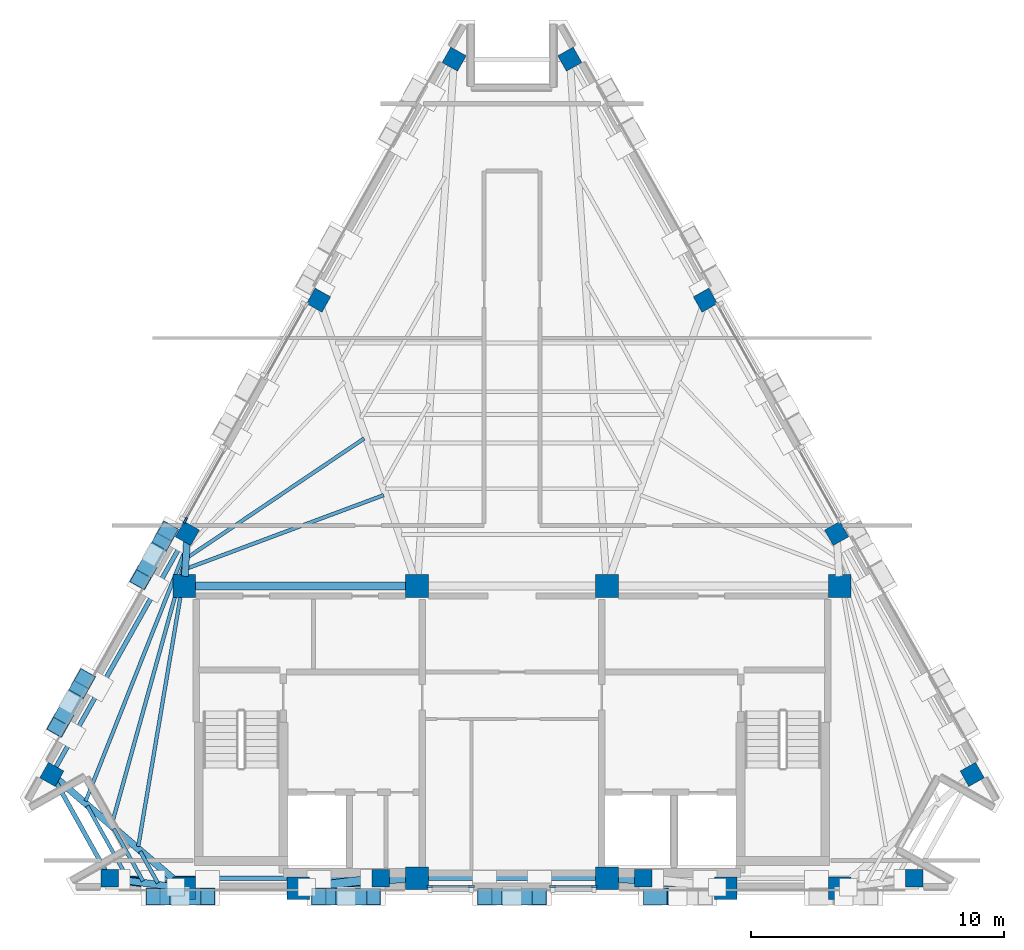
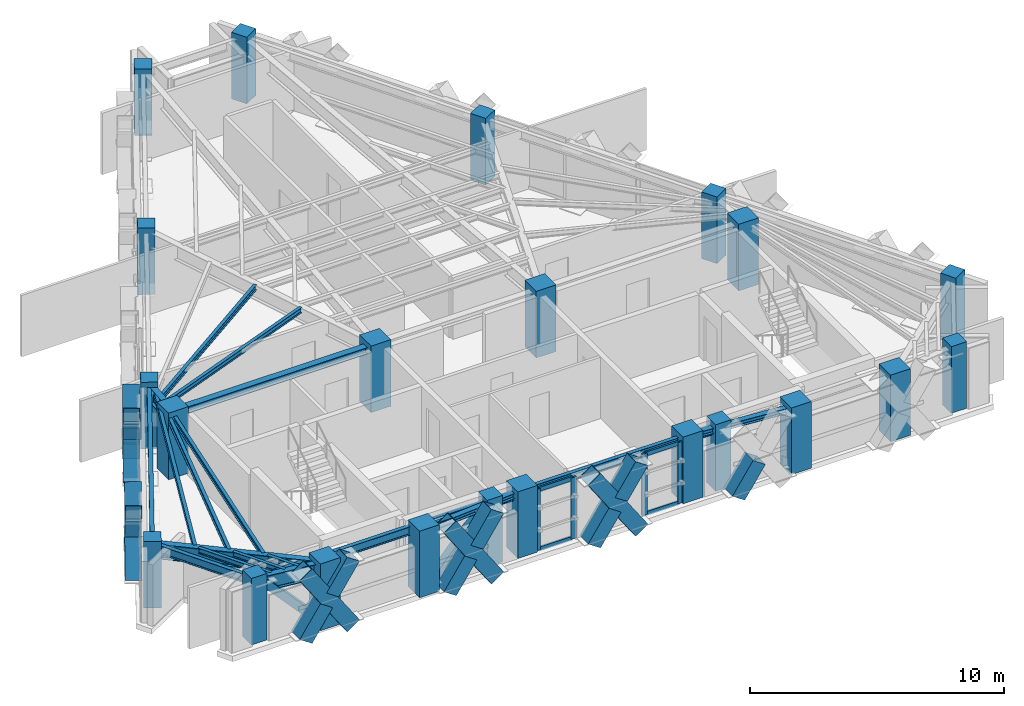
# One storey, part 1 of 8: 27 members, 22 columns, 18 beams, 3 elements without a shape of their own.
"""IFC4 building model written with IfcOpenShell, lengths in metres."""

from ifc_helpers import new_model, si_unit, direction, frame, origin, origin_2d, place, context, subcontext, project, spatial, rectangle, hollow_rectangle, i_section, extrude, material, material_profile, profile_set, type_object, element, aggregate, save


model = new_model("IFC4")

# Units and contexts
model_context = context("Model", 3, precision=1e-05, world=origin(), true_north=direction((0.0, 1.0)))
body_context = subcontext(model_context, "Body", "Model", "MODEL_VIEW")
ifc_project = project(units=[si_unit("LENGTHUNIT", "METRE"), si_unit("AREAUNIT", "SQUARE_METRE"), si_unit("VOLUMEUNIT", "CUBIC_METRE"), si_unit("PLANEANGLEUNIT", "RADIAN"), si_unit("MASSUNIT", "GRAM", prefix="KILO")], contexts=[model_context])

# Site, building, storey
site_placement = place(None, origin())
site = spatial("IfcSite", under=ifc_project, at=site_placement, CompositionType="ELEMENT")
building_placement = place(site_placement, origin())
building = spatial("IfcBuilding", under=site, at=building_placement, Name="Quenlor Broadcast Tower", CompositionType="ELEMENT")
storey_placement = place(building_placement, frame((0.0, 0.0, 283.699951171875)))
storey = spatial("IfcBuildingStorey", under=building, at=storey_placement, Name="L79", CompositionType="ELEMENT", Elevation=283.699951171875)

# Columns
ifc_material_1 = material(Name="Concrete C50/60", Category="concrete")
ifc_material_profile_1 = material_profile(ifc_material_1, rectangle(XDim=0.89990234375, YDim=0.89990234375, at=origin_2d()))
ifc_profile_set_1 = profile_set([ifc_material_profile_1], Name="Concrete C50/60 RC900x900")
column_type_1 = type_object("IfcColumnType", Name="Core Corner Column Upper Concrete C50/60 900", PredefinedType="COLUMN", material=ifc_profile_set_1)
for number, where, z_axis, x_axis, name in (
    (1, (-12.949951171875, -16.75, 0.0), (0.0, 0.0, 1.0), (1.0, 0.0, 0.0), "L79 Core Column CC1"),
    (2, (-8.449951171875, -16.75, 0.0), (0.0, 0.0, 1.0), (1.0, 0.0, 0.0), "L79 Core Column CC2"),
    (3, (-3.75, -16.35009765625, 0.0), (0.0, 0.0, 1.0), (1.0, 0.0, 0.0), "L79 Core Column CC3"),
    (4, (3.75, -16.35009765625, 0.0), (0.0, 0.0, 1.0), (1.0, 0.0, 0.0), "L79 Core Column CC4"),
    (5, (8.449951171875, -16.75, 0.0), (0.0, 0.0, 1.0), (1.0, 0.0, 0.0), "L79 Core Column CC5"),
    (6, (12.949951171875, -16.75, 0.0), (0.0, 0.0, 1.0), (1.0, 0.0, 0.0), "L79 Core Column CC6"),
    (7, (-12.949951171875, -4.800048828125, 0.0), (0.0, 0.0, 1.0), (1.0, 0.0, 0.0), "L79 Core Column CC7"),
    (8, (-3.75, -4.800048828125, 0.0), (0.0, 0.0, 1.0), (1.0, 0.0, 0.0), "L79 Core Column CC8"),
    (9, (3.75, -4.800048828125, 0.0), (0.0, 0.0, 1.0), (1.0, 0.0, 0.0), "L79 Core Column CC9"),
    (10, (12.949951171875, -4.800048828125, 0.0), (0.0, 0.0, 1.0), (1.0, 0.0, 0.0), "L79 Core Column CC10"),
):
    element("IfcColumn", number, at=place(storey_placement, frame(where, z_axis=z_axis, x_axis=x_axis)), inside=storey, type_object=column_type_1, Name=name, PredefinedType="COLUMN", context=body_context, shape_type="SweptSolid", body=[
        extrude(rectangle(XDim=0.89990234375, YDim=0.89990234375, at=origin_2d()), origin(), (0.0, 0.0, 1.0), 3.199951171875),
    ])
ifc_material_2 = material(Name="Concrete C40/50", Category="concrete")
ifc_material_profile_2 = material_profile(ifc_material_2, rectangle(XDim=0.699951171875, YDim=0.699951171875, at=origin_2d()))
ifc_profile_set_2 = profile_set([ifc_material_profile_2], Name="Concrete C40/50 RC700x700")
column_type_2 = type_object("IfcColumnType", Name="Crown Frame Column Concrete C40/50 700", PredefinedType="COLUMN", material=ifc_profile_set_2)
for number, where, z_axis, x_axis, name in (
    (11, (-15.897705078125, -16.35009765625, 0.0), (0.0, 0.0, 1.0), (0.0, 1.0, 0.0), "L79 Perimeter Column S1"),
    (12, (-5.18408203125, -16.35009765625, 0.0), (0.0, 0.0, 1.0), (0.0, 1.0, 0.0), "L79 Perimeter Column S2"),
    (13, (5.18408203125, -16.35009765625, 0.0), (0.0, 0.0, 1.0), (0.0, 1.0, 0.0), "L79 Perimeter Column S3"),
    (14, (15.897705078125, -16.35009765625, 0.0), (0.0, 0.0, 1.0), (0.0, 1.0, 0.0), "L79 Perimeter Column S4"),
    (15, (18.182373046875, -12.25, 0.0), (0.0, 0.0, 1.0), (0.871575139605, 0.490261946333, 0.0), "L79 Perimeter Column NE1"),
    (16, (12.825439453125, -2.726806640625, 0.0), (0.0, 0.0, 1.0), (0.871575139605, 0.490261946333, 0.0), "L79 Perimeter Column NE2"),
    (17, (7.6416015625, 6.4892578125, 0.0), (0.0, 0.0, 1.0), (0.871575139605, 0.490261946333, 0.0), "L79 Perimeter Column NE3"),
    (18, (2.28466796875, 16.012451171875, 0.0), (0.0, 0.0, 1.0), (0.871575139605, 0.490261946333, 0.0), "L79 Perimeter Column NE4"),
    (19, (-2.28466796875, 16.012451171875, 0.0), (0.0, 0.0, 1.0), (-0.871575139605, 0.490261946333, 0.0), "L79 Perimeter Column NW1"),
    (20, (-7.6416015625, 6.4892578125, 0.0), (0.0, 0.0, 1.0), (-0.871575139605, 0.490261946333, 0.0), "L79 Perimeter Column NW2"),
    (21, (-12.825439453125, -2.726806640625, 0.0), (0.0, 0.0, 1.0), (-0.871575139605, 0.490261946333, 0.0), "L79 Perimeter Column NW3"),
    (22, (-18.182373046875, -12.25, 0.0), (0.0, 0.0, 1.0), (-0.871575139605, 0.490261946333, 0.0), "L79 Perimeter Column NW4"),
):
    element("IfcColumn", number, at=place(storey_placement, frame(where, z_axis=z_axis, x_axis=x_axis)), inside=storey, type_object=column_type_2, Name=name, PredefinedType="COLUMN", context=body_context, shape_type="SweptSolid", body=[
        extrude(rectangle(XDim=0.699951171875, YDim=0.699951171875, at=origin_2d()), origin(), (0.0, 0.0, 1.0), 3.199951171875),
    ])

# Curtain wall, members
ifc_material_3 = material(Name="Architectural Terracotta and Low-E Glazing", Category="masonry")
curtain_wall_type = type_object("IfcCurtainWallType", Name="Station Concourse and Crown Terracotta Curtain Wall", PredefinedType="NOTDEFINED", material=ifc_material_3)
curtain_wall_1_placement = place(storey_placement, origin())
curtain_wall_1 = element("IfcCurtainWall", 23, at=curtain_wall_1_placement, inside=storey, type_object=curtain_wall_type, Name="L79 Curtain Wall CW6 (L79-S-G1)", PredefinedType="NOTDEFINED")
ifc_material_4 = material(Name="Aluminium 6063-T6", Category="aluminium")
ifc_material_profile_3 = material_profile(ifc_material_4, rectangle(XDim=0.08203125, YDim=0.239990234375, at=origin_2d()))
ifc_profile_set_3 = profile_set([ifc_material_profile_3], Name="Aluminium 6063-T6 MULL82x240")
member_type_1 = type_object("IfcMemberType", Name="CW6 Aluminium Mullion MULL_CW6", PredefinedType="MULLION", material=ifc_profile_set_3)
member_1_placement = place(storey_placement, frame((3.239013671875, -16.675048828125, 0.0), z_axis=(0.0, 0.0, 1.0), x_axis=(0.0, -1.0, 0.0)))
member_1 = element("IfcMember", 24, at=member_1_placement, type_object=member_type_1, Name="CW6 mullion 1", PredefinedType="MULLION", context=body_context, shape_type="SweptSolid", body=[
    extrude(rectangle(XDim=0.08203125, YDim=0.239990234375, at=origin_2d()), origin(), (0.0, 0.0, 1.0), 2.949951171875),
])
member_2_placement = place(storey_placement, frame((1.610107421875, -16.675048828125, 0.0), z_axis=(0.0, 0.0, 1.0), x_axis=(0.0, -1.0, 0.0)))
member_2 = element("IfcMember", 25, at=member_2_placement, type_object=member_type_1, Name="CW6 mullion 2", PredefinedType="MULLION", context=body_context, shape_type="SweptSolid", body=[
    extrude(rectangle(XDim=0.08203125, YDim=0.239990234375, at=origin_2d()), origin(), (0.0, 0.0, 1.0), 2.949951171875),
])

curtain_wall_2_placement = place(storey_placement, origin())
curtain_wall_2 = element("IfcCurtainWall", 26, at=curtain_wall_2_placement, inside=storey, type_object=curtain_wall_type, Name="L79 Curtain Wall CW6 (L79-S-G2)", PredefinedType="NOTDEFINED")
member_3_placement = place(storey_placement, frame((-1.610107421875, -16.675048828125, 0.0), z_axis=(0.0, 0.0, 1.0), x_axis=(0.0, -1.0, 0.0)))
member_3 = element("IfcMember", 27, at=member_3_placement, type_object=member_type_1, Name="CW6 mullion 1", PredefinedType="MULLION", context=body_context, shape_type="SweptSolid", body=[
    extrude(rectangle(XDim=0.08203125, YDim=0.239990234375, at=origin_2d()), origin(), (0.0, 0.0, 1.0), 2.949951171875),
])
member_4_placement = place(storey_placement, frame((-3.239013671875, -16.675048828125, 0.0), z_axis=(0.0, 0.0, 1.0), x_axis=(0.0, -1.0, 0.0)))
member_4 = element("IfcMember", 28, at=member_4_placement, type_object=member_type_1, Name="CW6 mullion 2", PredefinedType="MULLION", context=body_context, shape_type="SweptSolid", body=[
    extrude(rectangle(XDim=0.08203125, YDim=0.239990234375, at=origin_2d()), origin(), (0.0, 0.0, 1.0), 2.949951171875),
])

# Curtain wall, member
curtain_wall_3_placement = place(storey_placement, origin())
curtain_wall_3 = element("IfcCurtainWall", 29, at=curtain_wall_3_placement, inside=storey, type_object=curtain_wall_type, Name="L79 Curtain Wall CW6 (L79-NW-G1)", PredefinedType="NOTDEFINED")
member_5_placement = place(storey_placement, frame((-12.9072265625, -2.208984375, 0.0), z_axis=(0.0, 0.0, 1.0), x_axis=(-0.871571523235, 0.490268375367, 0.0)))
member_5 = element("IfcMember", 30, at=member_5_placement, type_object=member_type_1, Name="CW6 mullion 1", PredefinedType="MULLION", context=body_context, shape_type="SweptSolid", body=[
    extrude(rectangle(XDim=0.08203125, YDim=0.239990234375, at=origin_2d()), origin(), (0.0, 0.0, 1.0), 2.949951171875),
])
aggregate(curtain_wall_3, [member_5])

# Member
ifc_material_5 = material(Name="Aluminium 6063-T6", Category="aluminium")
ifc_material_profile_4 = material_profile(ifc_material_5, rectangle(XDim=0.08203125, YDim=0.195068359375, at=origin_2d()))
ifc_profile_set_4 = profile_set([ifc_material_profile_4], Name="Aluminium 6063-T6 TRAN82x195")
member_type_2 = type_object("IfcMemberType", Name="CW6 Aluminium Transom TRAN_CW6", PredefinedType="USERDEFINED", material=ifc_profile_set_4)
member_6_placement = place(storey_placement, frame((3.197998046875, -16.675048828125, 0.041015625), z_axis=(-1.0, 0.0, 0.0), x_axis=(0.0, -1.0, 0.0)))
member_6 = element("IfcMember", 31, at=member_6_placement, type_object=member_type_2, Name="CW6 transom 1.1", ObjectType="TRANSOM", PredefinedType="USERDEFINED", context=body_context, shape_type="SweptSolid", body=[
    extrude(rectangle(XDim=0.08203125, YDim=0.195068359375, at=origin_2d()), origin(), (0.0, 0.0, 1.0), 1.547119140625),
])

member_7_placement = place(storey_placement, frame((3.197998046875, -16.675048828125, 2.908935546875), z_axis=(-1.0, 0.0, 0.0), x_axis=(0.0, -1.0, 0.0)))
member_7 = element("IfcMember", 32, at=member_7_placement, type_object=member_type_2, Name="CW6 transom 1.2", ObjectType="TRANSOM", PredefinedType="USERDEFINED", context=body_context, shape_type="SweptSolid", body=[
    extrude(rectangle(XDim=0.08203125, YDim=0.195068359375, at=origin_2d()), origin(), (0.0, 0.0, 1.0), 1.547119140625),
])

aggregate(curtain_wall_1, [member_1, member_2, member_6, member_7])

member_8_placement = place(storey_placement, frame((-1.65087890625, -16.675048828125, 0.041015625), z_axis=(-1.0, 0.0, 0.0), x_axis=(0.0, -1.0, 0.0)))
member_8 = element("IfcMember", 33, at=member_8_placement, type_object=member_type_2, Name="CW6 transom 1.1", ObjectType="TRANSOM", PredefinedType="USERDEFINED", context=body_context, shape_type="SweptSolid", body=[
    extrude(rectangle(XDim=0.08203125, YDim=0.195068359375, at=origin_2d()), origin(), (0.0, 0.0, 1.0), 1.547119140625),
])

member_9_placement = place(storey_placement, frame((-1.65087890625, -16.675048828125, 2.908935546875), z_axis=(-1.0, 0.0, 0.0), x_axis=(0.0, -1.0, 0.0)))
member_9 = element("IfcMember", 34, at=member_9_placement, type_object=member_type_2, Name="CW6 transom 1.2", ObjectType="TRANSOM", PredefinedType="USERDEFINED", context=body_context, shape_type="SweptSolid", body=[
    extrude(rectangle(XDim=0.08203125, YDim=0.195068359375, at=origin_2d()), origin(), (0.0, 0.0, 1.0), 1.547119140625),
])

aggregate(curtain_wall_2, [member_3, member_4, member_8, member_9])

# Beams
ifc_material_6 = material(Name="Steel S355", Category="steel")
ifc_material_profile_5 = material_profile(ifc_material_6, i_section(OverallWidth=0.25390625, OverallDepth=0.25390625, WebThickness=0.008544921875, FlangeThickness=0.01416015625, FilletRadius=0.013916015625, at=origin_2d()))
ifc_profile_set_5 = profile_set([ifc_material_profile_5], Name="Steel S355 250UC72.9")
beam_type_1 = type_object("IfcBeamType", Name="Core Opening Lintel Beam Steel S355 250UC72.9", PredefinedType="LINTEL", material=ifc_profile_set_5)
for number, where, z_axis, x_axis, name in (
    (35, (-8.09130859375, -16.719482421875, 2.8232421875), (0.996399763903, 0.084779186679, 0.0), (-0.084779186679, 0.996399763903, 0.0), "L79 Core Opening Lintel Beam 4"),
    (36, (4.108642578125, -16.380615234375, 2.8232421875), (0.996399763903, -0.084779186679, 0.0), (0.084779186679, 0.996399763903, 0.0), "L79 Core Opening Lintel Beam 5"),
):
    element("IfcBeam", number, at=place(storey_placement, frame(where, z_axis=z_axis, x_axis=x_axis)), inside=storey, type_object=beam_type_1, Name=name, PredefinedType="LINTEL", context=body_context, shape_type="SweptSolid", body=[
        extrude(i_section(OverallWidth=0.25390625, OverallDepth=0.25390625, WebThickness=0.008544921875, FlangeThickness=0.01416015625, FilletRadius=0.013916015625, at=origin_2d()), origin(), (0.0, 0.0, 1.0), 3.9970703125),
    ])
ifc_material_7 = material(Name="Steel S355", Category="steel")
ifc_material_profile_6 = material_profile(ifc_material_7, i_section(OverallWidth=0.306884765625, OverallDepth=0.314697265625, WebThickness=0.011962890625, FlangeThickness=0.018798828125, FilletRadius=0.0166015625, at=origin_2d()))
ifc_profile_set_6 = profile_set([ifc_material_profile_6], Name="Steel S355 310UC118")
beam_type_2 = type_object("IfcBeamType", Name="Core Tie Beam Steel S355 310UC118", PredefinedType="BEAM", material=ifc_profile_set_6)
beam_1_placement = place(storey_placement, frame((-12.590087890625, -4.800048828125, 2.792724609375), z_axis=(1.0, 0.0, 0.0), x_axis=(0.0, 1.0, 0.0)))
element("IfcBeam", 37, at=beam_1_placement, inside=storey, type_object=beam_type_2, Name="L79 Core Tie Beam 1", PredefinedType="BEAM", context=body_context, shape_type="SweptSolid", body=[
    extrude(i_section(OverallWidth=0.306884765625, OverallDepth=0.314697265625, WebThickness=0.011962890625, FlangeThickness=0.018798828125, FilletRadius=0.0166015625, at=origin_2d()), origin(), (0.0, 0.0, 1.0), 8.47998046875),
])
ifc_material_8 = material(Name="Steel S355", Category="steel")
ifc_material_profile_7 = material_profile(ifc_material_8, i_section(OverallWidth=0.14599609375, OverallDepth=0.256103515625, WebThickness=0.00634765625, FlangeThickness=0.010986328125, FilletRadius=0.0087890625, at=origin_2d()))
ifc_profile_set_7 = profile_set([ifc_material_profile_7], Name="Steel S355 250UB37.3")
beam_type_3 = type_object("IfcBeamType", Name="Crown Deck Joist Steel S355 250UB37.3", PredefinedType="JOIST", material=ifc_profile_set_7)
beam_2_placement = place(storey_placement, frame((-12.835205078125, -4.108642578125, 2.822021484375), z_axis=(0.937062080226, 0.349162795559, 0.0), x_axis=(-0.349162795559, 0.937062080226, 0.0)))
element("IfcBeam", 38, at=beam_2_placement, inside=storey, type_object=beam_type_3, Name="L79 Secondary Composite Joist 7", PredefinedType="JOIST", context=body_context, shape_type="SweptSolid", body=[
    extrude(i_section(OverallWidth=0.14599609375, OverallDepth=0.256103515625, WebThickness=0.00634765625, FlangeThickness=0.010986328125, FilletRadius=0.0087890625, at=origin_2d()), origin(), (0.0, 0.0, 1.0), 8.286376953125),
])
beam_3_placement = place(storey_placement, frame((-12.81884765625, -3.67724609375, 2.822021484375), z_axis=(0.829286301475, 0.558823970661, 0.0), x_axis=(-0.558823970661, 0.829286301475, 0.0)))
element("IfcBeam", 39, at=beam_3_placement, inside=storey, type_object=beam_type_3, Name="L79 Secondary Composite Joist 8", PredefinedType="JOIST", context=body_context, shape_type="SweptSolid", body=[
    extrude(i_section(OverallWidth=0.14599609375, OverallDepth=0.256103515625, WebThickness=0.00634765625, FlangeThickness=0.010986328125, FilletRadius=0.0087890625, at=origin_2d()), origin(), (0.0, 0.0, 1.0), 8.415771484375),
])
beam_4_placement = place(storey_placement, frame((-14.76806640625, -15.09619140625, 2.822021484375), z_axis=(0.166553293246, 0.986032454085, 0.0), x_axis=(-0.986032454085, 0.166553293246, 0.0)))
element("IfcBeam", 40, at=beam_4_placement, inside=storey, type_object=beam_type_3, Name="L79 Secondary Composite Joist 13", PredefinedType="JOIST", context=body_context, shape_type="SweptSolid", body=[
    extrude(i_section(OverallWidth=0.14599609375, OverallDepth=0.256103515625, WebThickness=0.00634765625, FlangeThickness=0.010986328125, FilletRadius=0.0087890625, at=origin_2d()), origin(), (0.0, 0.0, 1.0), 11.097900390625),
])
beam_5_placement = place(storey_placement, frame((-15.806396484375, -14.197998046875, 2.822021484375), z_axis=(0.26744552871, 0.96357298072, 0.0), x_axis=(-0.96357298072, 0.26744552871, 0.0)))
element("IfcBeam", 41, at=beam_5_placement, inside=storey, type_object=beam_type_3, Name="L79 Secondary Composite Joist 14", PredefinedType="JOIST", context=body_context, shape_type="SweptSolid", body=[
    extrude(i_section(OverallWidth=0.14599609375, OverallDepth=0.256103515625, WebThickness=0.00634765625, FlangeThickness=0.010986328125, FilletRadius=0.0087890625, at=origin_2d()), origin(), (0.0, 0.0, 1.0), 10.856689453125),
])
beam_6_placement = place(storey_placement, frame((-16.8447265625, -13.300537109375, 2.822021484375), z_axis=(0.368680258049, 0.929556274426, 0.0), x_axis=(-0.929556274426, 0.368680258049, 0.0)))
element("IfcBeam", 42, at=beam_6_placement, inside=storey, type_object=beam_type_3, Name="L79 Secondary Composite Joist 15", PredefinedType="JOIST", context=body_context, shape_type="SweptSolid", body=[
    extrude(i_section(OverallWidth=0.14599609375, OverallDepth=0.256103515625, WebThickness=0.00634765625, FlangeThickness=0.010986328125, FilletRadius=0.0087890625, at=origin_2d()), origin(), (0.0, 0.0, 1.0), 10.737548828125),
])
beam_7_placement = place(storey_placement, frame((-13.9912109375, -16.544189453125, 2.822021484375), z_axis=(-0.486624304452, 0.873611347406, 0.0), x_axis=(-0.873611347406, -0.486624304452, 0.0)))
element("IfcBeam", 43, at=beam_7_placement, inside=storey, type_object=beam_type_3, Name="L79 Secondary Composite Joist 19", PredefinedType="JOIST", context=body_context, shape_type="SweptSolid", body=[
    extrude(i_section(OverallWidth=0.14599609375, OverallDepth=0.256103515625, WebThickness=0.00634765625, FlangeThickness=0.010986328125, FilletRadius=0.0087890625, at=origin_2d()), origin(), (0.0, 0.0, 1.0), 1.435791015625),
])
beam_8_placement = place(storey_placement, frame((-14.58056640625, -16.464111328125, 2.822021484375), z_axis=(-0.486820963037, 0.873501774439, 0.0), x_axis=(-0.873501774439, -0.486820963037, 0.0)))
element("IfcBeam", 44, at=beam_8_placement, inside=storey, type_object=beam_type_3, Name="L79 Secondary Composite Joist 20", PredefinedType="JOIST", context=body_context, shape_type="SweptSolid", body=[
    extrude(i_section(OverallWidth=0.14599609375, OverallDepth=0.256103515625, WebThickness=0.00634765625, FlangeThickness=0.010986328125, FilletRadius=0.0087890625, at=origin_2d()), origin(), (0.0, 0.0, 1.0), 2.37451171875),
])
beam_9_placement = place(storey_placement, frame((-15.170166015625, -16.384033203125, 2.822021484375), z_axis=(-0.486762404011, 0.873534408046, 0.0), x_axis=(-0.873534408046, -0.486762404011, 0.0)))
element("IfcBeam", 45, at=beam_9_placement, inside=storey, type_object=beam_type_3, Name="L79 Secondary Composite Joist 21", PredefinedType="JOIST", context=body_context, shape_type="SweptSolid", body=[
    extrude(i_section(OverallWidth=0.14599609375, OverallDepth=0.256103515625, WebThickness=0.00634765625, FlangeThickness=0.010986328125, FilletRadius=0.0087890625, at=origin_2d()), origin(), (0.0, 0.0, 1.0), 3.313232421875),
])
ifc_material_9 = material(Name="Steel S355", Category="steel")
ifc_material_profile_8 = material_profile(ifc_material_9, i_section(OverallWidth=0.27490234375, OverallDepth=0.716064453125, WebThickness=0.013916015625, FlangeThickness=0.02490234375, FilletRadius=0.013916015625, at=origin_2d()))
ifc_profile_set_8 = profile_set([ifc_material_profile_8], Name="Steel S355 700WB173")
beam_type_4 = type_object("IfcBeamType", Name="Crown Plant Ring Girder Steel S355 700WB173", PredefinedType="BEAM", material=ifc_profile_set_8)
beam_10_placement = place(storey_placement, frame((-15.59033203125, -16.3916015625, 2.592041015625), z_axis=(0.990908681621, -0.134536183561, 0.0), x_axis=(0.134536183561, 0.990908681621, 0.0)))
element("IfcBeam", 46, at=beam_10_placement, inside=storey, type_object=beam_type_4, Name="L79 Primary Radial Beam S1", PredefinedType="BEAM", context=body_context, shape_type="SweptSolid", body=[
    extrude(i_section(OverallWidth=0.27490234375, OverallDepth=0.716064453125, WebThickness=0.013916015625, FlangeThickness=0.02490234375, FilletRadius=0.013916015625, at=origin_2d()), origin(), (0.0, 0.0, 1.0), 2.28466796875),
])
beam_11_placement = place(storey_placement, frame((-12.843994140625, -3.0361328125, 2.592041015625), z_axis=(-0.060022076178, -0.998197049871, 0.0), x_axis=(0.998197049871, -0.060022076178, 0.0)))
element("IfcBeam", 47, at=beam_11_placement, inside=storey, type_object=beam_type_4, Name="L79 Primary Radial Beam NW3", PredefinedType="BEAM", context=body_context, shape_type="SweptSolid", body=[
    extrude(i_section(OverallWidth=0.27490234375, OverallDepth=0.716064453125, WebThickness=0.013916015625, FlangeThickness=0.02490234375, FilletRadius=0.013916015625, at=origin_2d()), origin(), (0.0, 0.0, 1.0), 1.386962890625),
])
beam_12_placement = place(storey_placement, frame((-17.947265625, -12.451904296875, 2.592041015625), z_axis=(0.758156826123, -0.652072255968, 0.0), x_axis=(0.652072255968, 0.758156826123, 0.0)))
element("IfcBeam", 48, at=beam_12_placement, inside=storey, type_object=beam_type_4, Name="L79 Primary Radial Beam NW4", PredefinedType="BEAM", context=body_context, shape_type="SweptSolid", body=[
    extrude(i_section(OverallWidth=0.27490234375, OverallDepth=0.716064453125, WebThickness=0.013916015625, FlangeThickness=0.02490234375, FilletRadius=0.013916015625, at=origin_2d()), origin(), (0.0, 0.0, 1.0), 6.21142578125),
])

# Members
ifc_material_10 = material(Name="Steel S355", Category="steel")
ifc_material_profile_9 = material_profile(ifc_material_10, hollow_rectangle(XDim=0.35009765625, YDim=0.35009765625, WallThickness=0.02001953125, at=origin_2d()))
ifc_profile_set_9 = profile_set([ifc_material_profile_9], Name="Steel S355 RHS350x350x20")
member_type_3 = type_object("IfcMemberType", Name="Crown Sloped Raking Chord Steel S355 RHS350x20", PredefinedType="CHORD", material=ifc_profile_set_9)
member_10_placement = place(storey_placement, frame((-13.286865234375, -16.704345703125, 0.25), z_axis=(-0.676132711062, 0.091758297669, 0.731043755079), x_axis=(-0.134477773083, -0.990916610289, 0.0)))
element("IfcMember", 49, at=member_10_placement, inside=storey, type_object=member_type_3, Name="L79 Crown Plant Bracing Chord 1", PredefinedType="CHORD", context=body_context, shape_type="SweptSolid", body=[
    extrude(hollow_rectangle(XDim=0.35009765625, YDim=0.35009765625, WallThickness=0.02001953125, at=origin_2d()), origin(), (0.0, 0.0, 1.0), 3.392333984375),
])
member_11_placement = place(storey_placement, frame((-8.112548828125, -16.708740234375, 0.25), z_axis=(0.72220052685, 0.08846855154, 0.686002707288), x_axis=(-0.12158971239, 0.99258044603, 0.0)))
element("IfcMember", 50, at=member_11_placement, inside=storey, type_object=member_type_3, Name="L79 Crown Plant Bracing Chord 3", PredefinedType="CHORD", context=body_context, shape_type="SweptSolid", body=[
    extrude(hollow_rectangle(XDim=0.35009765625, YDim=0.35009765625, WallThickness=0.02001953125, at=origin_2d()), origin(), (0.0, 0.0, 1.0), 3.615234375),
])
ifc_material_11 = material(Name="Steel S355", Category="steel")
ifc_material_profile_10 = material_profile(ifc_material_11, hollow_rectangle(XDim=0.679931640625, YDim=0.679931640625, WallThickness=0.02001953125, at=origin_2d()))
ifc_profile_set_10 = profile_set([ifc_material_profile_10], Name="Steel S355 RHS680x680x20")
member_type_4 = type_object("IfcMemberType", Name="Perimeter Diagonal Lattice Brace Z5-Crown Steel S355 RHS680x20", PredefinedType="BRACE", material=ifc_profile_set_10)
member_12_placement = place(storey_placement, frame((5.47314453125, -17.070068359375, -0.119873046875), z_axis=(0.559053368551, 0.0, 0.829131672963), x_axis=(0.0, 1.0, 0.0)))
element("IfcMember", 51, at=member_12_placement, inside=storey, type_object=member_type_4, Name="L79 Perimeter Diamond Lattice S-C2XB1", PredefinedType="BRACE", context=body_context, shape_type="SweptSolid", body=[
    extrude(hollow_rectangle(XDim=0.679931640625, YDim=0.679931640625, WallThickness=0.02001953125, at=origin_2d()), origin(), (0.0, 0.0, 1.0), 1.679443359375),
])
member_13_placement = place(storey_placement, frame((1.078857421875, -17.070068359375, -0.119873046875), z_axis=(-0.559071894658, 0.0, 0.829119181182), x_axis=(0.0, -1.0, 0.0)))
element("IfcMember", 52, at=member_13_placement, inside=storey, type_object=member_type_4, Name="L79 Perimeter Diamond Lattice S-C3XA", PredefinedType="BRACE", context=body_context, shape_type="SweptSolid", body=[
    extrude(hollow_rectangle(XDim=0.679931640625, YDim=0.679931640625, WallThickness=0.02001953125, at=origin_2d()), origin(), (0.0, 0.0, 1.0), 3.859375),
])
member_14_placement = place(storey_placement, frame((-1.078857421875, -17.070068359375, -0.119873046875), z_axis=(0.559053368551, 0.0, 0.829131672963), x_axis=(0.0, 1.0, 0.0)))
element("IfcMember", 53, at=member_14_placement, inside=storey, type_object=member_type_4, Name="L79 Perimeter Diamond Lattice S-C3XB1", PredefinedType="BRACE", context=body_context, shape_type="SweptSolid", body=[
    extrude(hollow_rectangle(XDim=0.679931640625, YDim=0.679931640625, WallThickness=0.02001953125, at=origin_2d()), origin(), (0.0, 0.0, 1.0), 1.679443359375),
])
member_15_placement = place(storey_placement, frame((0.139892578125, -17.070068359375, 1.687255859375), z_axis=(0.558985996415, 0.0, 0.829177095566), x_axis=(0.0, 1.0, 0.0)))
element("IfcMember", 54, at=member_15_placement, inside=storey, type_object=member_type_4, Name="L79 Perimeter Diamond Lattice S-C3XB2", PredefinedType="BRACE", context=body_context, shape_type="SweptSolid", body=[
    extrude(hollow_rectangle(XDim=0.679931640625, YDim=0.679931640625, WallThickness=0.02001953125, at=origin_2d()), origin(), (0.0, 0.0, 1.0), 1.6796875),
])
member_16_placement = place(storey_placement, frame((-5.47314453125, -17.070068359375, -0.119873046875), z_axis=(-0.559071894658, 0.0, 0.829119181182), x_axis=(0.0, -1.0, 0.0)))
element("IfcMember", 55, at=member_16_placement, inside=storey, type_object=member_type_4, Name="L79 Perimeter Diamond Lattice S-C4XA", PredefinedType="BRACE", context=body_context, shape_type="SweptSolid", body=[
    extrude(hollow_rectangle(XDim=0.679931640625, YDim=0.679931640625, WallThickness=0.02001953125, at=origin_2d()), origin(), (0.0, 0.0, 1.0), 3.859375),
])
member_17_placement = place(storey_placement, frame((-7.630859375, -17.070068359375, -0.119873046875), z_axis=(0.559053368551, 0.0, 0.829131672963), x_axis=(0.0, 1.0, 0.0)))
element("IfcMember", 56, at=member_17_placement, inside=storey, type_object=member_type_4, Name="L79 Perimeter Diamond Lattice S-C4XB1", PredefinedType="BRACE", context=body_context, shape_type="SweptSolid", body=[
    extrude(hollow_rectangle(XDim=0.679931640625, YDim=0.679931640625, WallThickness=0.02001953125, at=origin_2d()), origin(), (0.0, 0.0, 1.0), 1.679443359375),
])
member_18_placement = place(storey_placement, frame((-6.412109375, -17.070068359375, 1.687255859375), z_axis=(0.558985996415, 0.0, 0.829177095566), x_axis=(0.0, 1.0, 0.0)))
element("IfcMember", 57, at=member_18_placement, inside=storey, type_object=member_type_4, Name="L79 Perimeter Diamond Lattice S-C4XB2", PredefinedType="BRACE", context=body_context, shape_type="SweptSolid", body=[
    extrude(hollow_rectangle(XDim=0.679931640625, YDim=0.679931640625, WallThickness=0.02001953125, at=origin_2d()), origin(), (0.0, 0.0, 1.0), 1.6796875),
])
member_19_placement = place(storey_placement, frame((-12.025146484375, -17.070068359375, -0.119873046875), z_axis=(-0.559071894658, 0.0, 0.829119181182), x_axis=(0.0, -1.0, 0.0)))
element("IfcMember", 58, at=member_19_placement, inside=storey, type_object=member_type_4, Name="L79 Perimeter Diamond Lattice S-C5XA", PredefinedType="BRACE", context=body_context, shape_type="SweptSolid", body=[
    extrude(hollow_rectangle(XDim=0.679931640625, YDim=0.679931640625, WallThickness=0.02001953125, at=origin_2d()), origin(), (0.0, 0.0, 1.0), 3.859375),
])
member_20_placement = place(storey_placement, frame((-14.182861328125, -17.070068359375, -0.119873046875), z_axis=(0.559053368551, 0.0, 0.829131672963), x_axis=(0.0, 1.0, 0.0)))
element("IfcMember", 59, at=member_20_placement, inside=storey, type_object=member_type_4, Name="L79 Perimeter Diamond Lattice S-C5XB1", PredefinedType="BRACE", context=body_context, shape_type="SweptSolid", body=[
    extrude(hollow_rectangle(XDim=0.679931640625, YDim=0.679931640625, WallThickness=0.02001953125, at=origin_2d()), origin(), (0.0, 0.0, 1.0), 1.679443359375),
])
member_21_placement = place(storey_placement, frame((-12.964111328125, -17.070068359375, 1.687255859375), z_axis=(0.558985996415, 0.0, 0.829177095566), x_axis=(0.0, 1.0, 0.0)))
element("IfcMember", 60, at=member_21_placement, inside=storey, type_object=member_type_4, Name="L79 Perimeter Diamond Lattice S-C5XB2", PredefinedType="BRACE", context=body_context, shape_type="SweptSolid", body=[
    extrude(hollow_rectangle(XDim=0.679931640625, YDim=0.679931640625, WallThickness=0.02001953125, at=origin_2d()), origin(), (0.0, 0.0, 1.0), 1.6796875),
])
member_22_placement = place(storey_placement, frame((-17.9599609375, -10.38623046875, -0.119873046875), z_axis=(0.278011753881, 0.494250100424, 0.823666378417), x_axis=(-0.871578496623, 0.490255978266, 0.0)))
element("IfcMember", 61, at=member_22_placement, inside=storey, type_object=member_type_4, Name="L79 Perimeter Diamond Lattice NW-C1XA", PredefinedType="BRACE", context=body_context, shape_type="SweptSolid", body=[
    extrude(hollow_rectangle(XDim=0.679931640625, YDim=0.679931640625, WallThickness=0.02001953125, at=origin_2d()), origin(), (0.0, 0.0, 1.0), 3.885009765625),
])
for number, where, z_axis, x_axis, name in (
    (62, (-16.8798828125, -8.466064453125, -0.119873046875), (-0.278112653694, -0.494198107654, 0.823663512757), (0.871480414068, -0.490430308909, 0.0), "L79 Perimeter Diamond Lattice NW-C1XB1"),
    (63, (-17.489501953125, -9.5498046875, 1.68603515625), (-0.277979553584, -0.494217929725, 0.823696549542), (0.87158912515, -0.49023708236, 0.0), "L79 Perimeter Diamond Lattice NW-C1XB2"),
):
    element("IfcMember", number, at=place(storey_placement, frame(where, z_axis=z_axis, x_axis=x_axis)), inside=storey, type_object=member_type_4, Name=name, PredefinedType="BRACE", context=body_context, shape_type="SweptSolid", body=[
        extrude(hollow_rectangle(XDim=0.679931640625, YDim=0.679931640625, WallThickness=0.02001953125, at=origin_2d()), origin(), (0.0, 0.0, 1.0), 1.6923828125),
    ])
member_23_placement = place(storey_placement, frame((-14.680419921875, -4.555908203125, -0.119873046875), z_axis=(0.277953767715, 0.494258734587, 0.823680767226), x_axis=(-0.871625847005, 0.490171789104, 0.0)))
element("IfcMember", 64, at=member_23_placement, inside=storey, type_object=member_type_4, Name="L79 Perimeter Diamond Lattice NW-C2XA", PredefinedType="BRACE", context=body_context, shape_type="SweptSolid", body=[
    extrude(hollow_rectangle(XDim=0.679931640625, YDim=0.679931640625, WallThickness=0.02001953125, at=origin_2d()), origin(), (0.0, 0.0, 1.0), 3.885009765625),
])
member_24_placement = place(storey_placement, frame((-13.6005859375, -2.6357421875, -0.119873046875), z_axis=(-0.27795973469, -0.494326938653, 0.823637823083), x_axis=(0.871650246414, -0.490128399428, 0.0)))
element("IfcMember", 65, at=member_24_placement, inside=storey, type_object=member_type_4, Name="L79 Perimeter Diamond Lattice NW-C2XB1", PredefinedType="BRACE", context=body_context, shape_type="SweptSolid", body=[
    extrude(hollow_rectangle(XDim=0.679931640625, YDim=0.679931640625, WallThickness=0.02001953125, at=origin_2d()), origin(), (0.0, 0.0, 1.0), 1.692626953125),
])
member_25_placement = place(storey_placement, frame((-14.2099609375, -3.719482421875, 1.68603515625), z_axis=(-0.277979553584, -0.494217929725, 0.823696549542), x_axis=(0.87158912515, -0.49023708236, 0.0)))
element("IfcMember", 66, at=member_25_placement, inside=storey, type_object=member_type_4, Name="L79 Perimeter Diamond Lattice NW-C2XB2", PredefinedType="BRACE", context=body_context, shape_type="SweptSolid", body=[
    extrude(hollow_rectangle(XDim=0.679931640625, YDim=0.679931640625, WallThickness=0.02001953125, at=origin_2d()), origin(), (0.0, 0.0, 1.0), 1.6923828125),
])

# Beams
ifc_material_12 = material(Name="Steel S355", Category="steel")
ifc_material_profile_11 = material_profile(ifc_material_12, i_section(OverallWidth=0.177978515625, OverallDepth=0.406494140625, WebThickness=0.0078125, FlangeThickness=0.0126953125, FilletRadius=0.011474609375, at=origin_2d()))
ifc_profile_set_11 = profile_set([ifc_material_profile_11], Name="Steel S355 410UB59.7")
beam_type_5 = type_object("IfcBeamType", Name="Perimeter Spandrel Beam Z5 Steel S355 410UB59.7", PredefinedType="SPANDREL", material=ifc_profile_set_11)
beam_13_placement = place(storey_placement, frame((-15.587646484375, -16.35009765625, 2.746826171875), z_axis=(1.0, 0.0, 0.0), x_axis=(0.0, 1.0, 0.0)))
element("IfcBeam", 67, at=beam_13_placement, inside=storey, type_object=beam_type_5, Name="L79 Spandrel Beam S1-S2", PredefinedType="SPANDREL", context=body_context, shape_type="SweptSolid", body=[
    extrude(i_section(OverallWidth=0.177978515625, OverallDepth=0.406494140625, WebThickness=0.0078125, FlangeThickness=0.0126953125, FilletRadius=0.011474609375, at=origin_2d()), origin(), (0.0, 0.0, 1.0), 10.09375),
])
beam_14_placement = place(storey_placement, frame((-4.8740234375, -16.35009765625, 2.746826171875), z_axis=(1.0, 0.0, 0.0), x_axis=(0.0, 1.0, 0.0)))
element("IfcBeam", 68, at=beam_14_placement, inside=storey, type_object=beam_type_5, Name="L79 Spandrel Beam S2-S3", PredefinedType="SPANDREL", context=body_context, shape_type="SweptSolid", body=[
    extrude(i_section(OverallWidth=0.177978515625, OverallDepth=0.406494140625, WebThickness=0.0078125, FlangeThickness=0.0126953125, FilletRadius=0.011474609375, at=origin_2d()), origin(), (0.0, 0.0, 1.0), 9.748046875),
])
beam_15_placement = place(storey_placement, frame((-12.9775390625, -2.996826171875, 2.746826171875), z_axis=(-0.490249992991, -0.871581863265, 0.0), x_axis=(0.871581863265, -0.490249992991, 0.0)))
element("IfcBeam", 69, at=beam_15_placement, inside=storey, type_object=beam_type_5, Name="L79 Spandrel Beam NW3-NW4", PredefinedType="SPANDREL", context=body_context, shape_type="SweptSolid", body=[
    extrude(i_section(OverallWidth=0.177978515625, OverallDepth=0.406494140625, WebThickness=0.0078125, FlangeThickness=0.0126953125, FilletRadius=0.011474609375, at=origin_2d()), origin(), (0.0, 0.0, 1.0), 10.306396484375),
])
beam_16_placement = place(storey_placement, frame((-18.031494140625, -12.520751953125, 2.746826171875), z_axis=(0.486777294572, -0.873526110365, 0.0), x_axis=(0.873526110365, 0.486777294572, 0.0)))
element("IfcBeam", 70, at=beam_16_placement, inside=storey, type_object=beam_type_5, Name="L79 Spandrel Beam NW4-S1", PredefinedType="SPANDREL", context=body_context, shape_type="SweptSolid", body=[
    extrude(i_section(OverallWidth=0.177978515625, OverallDepth=0.406494140625, WebThickness=0.0078125, FlangeThickness=0.0126953125, FilletRadius=0.011474609375, at=origin_2d()), origin(), (0.0, 0.0, 1.0), 4.073486328125),
])

save(model, "model.ifc")
